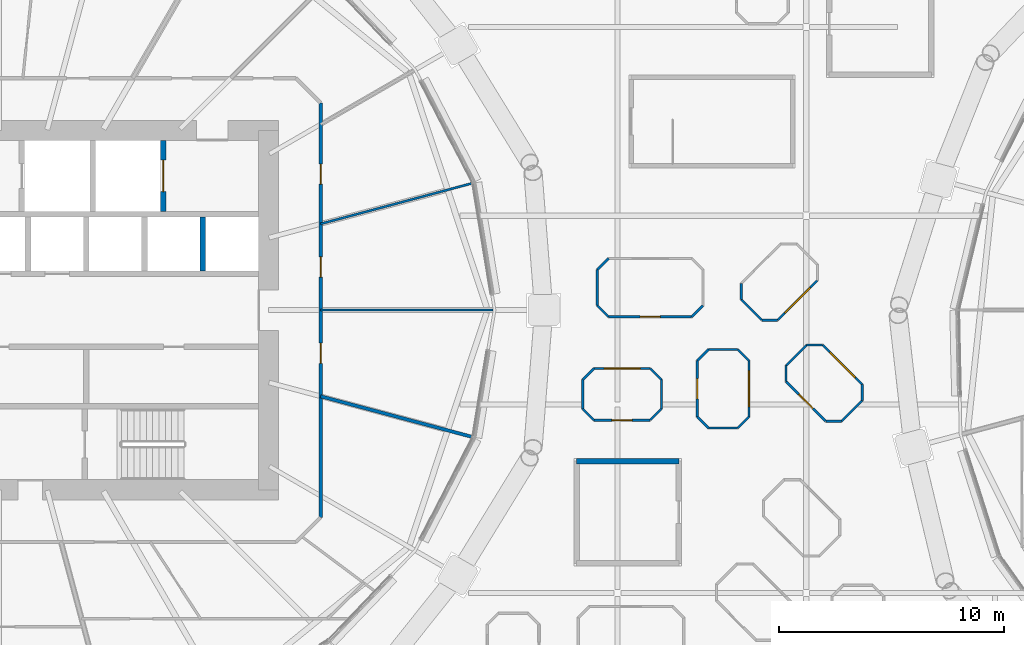
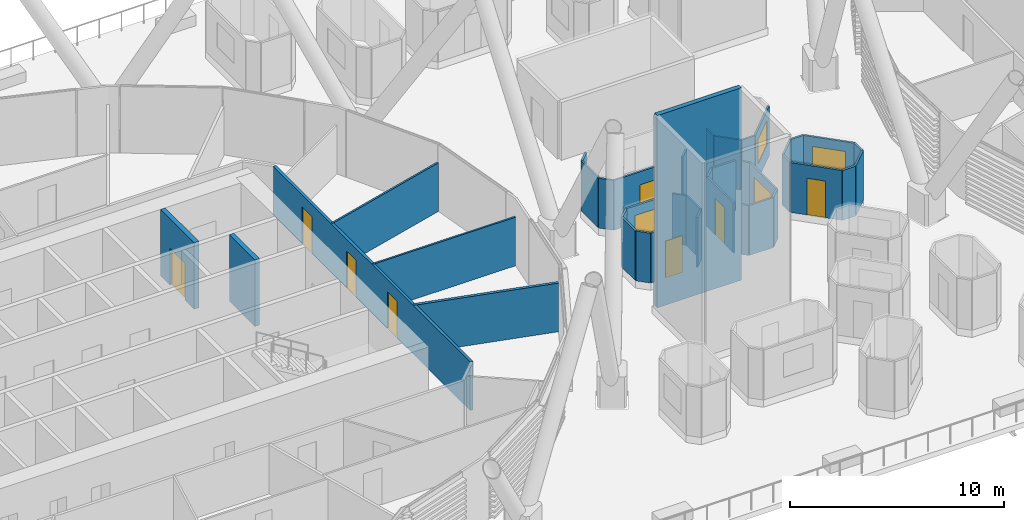
# One storey, part 27 of 47: 40 walls, 8 doors, 4 windows, 12 openings.
"""IFC4 building model written with IfcOpenShell, lengths in metres."""

from ifc_helpers import new_model, si_unit, direction, frame, frame_2d, origin, place, context, subcontext, project, spatial, rectangle, extrude, material, layer, layer_set, type_object, element, fill, save


model = new_model("IFC4")

# Units and contexts
model_context = context("Model", 3, precision=1e-05, world=origin(), true_north=direction((0.0, 1.0)))
body_context = subcontext(model_context, "Body", "Model", "MODEL_VIEW")
ifc_project = project(units=[si_unit("LENGTHUNIT", "METRE"), si_unit("AREAUNIT", "SQUARE_METRE"), si_unit("VOLUMEUNIT", "CUBIC_METRE"), si_unit("PLANEANGLEUNIT", "RADIAN"), si_unit("MASSUNIT", "GRAM", prefix="KILO")], contexts=[model_context])

# Site, building, storey
site_placement = place(None, origin())
site = spatial("IfcSite", under=ifc_project, at=site_placement, CompositionType="ELEMENT")
building_placement = place(site_placement, origin())
building = spatial("IfcBuilding", under=site, at=building_placement, Name="Rimbun Link Towers", CompositionType="ELEMENT")
storey_placement = place(building_placement, frame((0.0, 0.0, 30.0)))
storey = spatial("IfcBuildingStorey", under=building, at=storey_placement, Name="L06", CompositionType="ELEMENT", Elevation=30.0)

# Wall, opening, door
ifc_material_1 = material(Name="Terracotta-faced insulated sandwich panel", Category="masonry")
ifc_layer_1 = layer(ifc_material_1, 0.10009765625)
ifc_layer_set_1 = layer_set([ifc_layer_1], Name="CAPSULE entrance panel 100")
wall_type_1 = type_object("IfcWallType", Name="CAPSULE entrance panel 100", PredefinedType="STANDARD", material=ifc_layer_set_1)
wall_1_placement = place(storey_placement, frame((-4.60009765625, -0.300048828125, 0.409912109375), z_axis=(0.0, 0.0, 1.0), x_axis=(1.0, 0.0, 0.0)))
wall_1 = element("IfcWall", 1, at=wall_1_placement, inside=storey, type_object=wall_type_1, Name="CAPSULE P05 shell panel 7", PredefinedType="STANDARD", context=body_context, shape_type="SweptSolid", body=[
    extrude(rectangle(XDim=3.7001953125, YDim=0.10009765625, at=frame_2d((1.85009765625, 0.0))), origin(), (0.0, 0.0, 1.0), 2.85009765625),
])
opening_1_placement = place(wall_1_placement, frame((1.39990234375, 0.0, 0.0)))
opening_1 = element("IfcOpeningElement", 2, at=opening_1_placement, cuts=wall_1, Name="Opening CD06.05", PredefinedType="OPENING", context=body_context, shape_type="SweptSolid", body=[
    extrude(rectangle(XDim=0.89990234375, YDim=2.10009765625, at=frame_2d((0.449951171875, 1.050048828125))), frame((0.0, 0.06005859375, 0.0), z_axis=(0.0, -1.0, 0.0), x_axis=(1.0, 0.0, 0.0)), (0.0, 0.0, 1.0), 0.1201171875),
])
ifc_material_2 = material(Name="Aluminium framed insulated door leaf", Category="aluminium")
door_type_1 = type_object("IfcDoorType", Name="CAPSULE door single leaf 900X2100", OperationType="SINGLE_SWING_LEFT", PredefinedType="DOOR", material=ifc_material_2)
door_1_placement = place(opening_1_placement, origin())
door_1 = element("IfcDoor", 3, at=door_1_placement, inside=storey, type_object=door_type_1, Name="CAPSULE P05 door", OperationType="SINGLE_SWING_LEFT", OverallHeight=2.10009765625, OverallWidth=0.89990234375, PredefinedType="DOOR", context=body_context, shape_type="SweptSolid", body=[
    extrude(rectangle(XDim=0.89990234375, YDim=2.10009765625, at=frame_2d((0.449951171875, 1.050048828125))), frame((0.0, 0.02490234375, 0.0), z_axis=(0.0, -1.0, 0.0), x_axis=(1.0, 0.0, 0.0)), (0.0, 0.0, 1.0), 0.050048828125),
])
fill(opening_1, door_1)

wall_2_placement = place(storey_placement, frame((-0.64990234375, -2.25, 0.409912109375), z_axis=(0.0, 0.0, 1.0), x_axis=(0.0, -1.0, 0.0)))
wall_2 = element("IfcWall", 4, at=wall_2_placement, inside=storey, type_object=wall_type_1, Name="CAPSULE P06 shell panel 3", PredefinedType="STANDARD", context=body_context, shape_type="SweptSolid", body=[
    extrude(rectangle(XDim=2.5, YDim=0.10009765625, at=frame_2d((1.25, 0.0))), origin(), (0.0, 0.0, 1.0), 2.85009765625),
])
opening_2_placement = place(wall_2_placement, frame((0.800048828125, 0.0, 0.0)))
opening_2 = element("IfcOpeningElement", 5, at=opening_2_placement, cuts=wall_2, Name="Opening CD06.06", PredefinedType="OPENING", context=body_context, shape_type="SweptSolid", body=[
    extrude(rectangle(XDim=0.89990234375, YDim=2.10009765625, at=frame_2d((0.449951171875, 1.050048828125))), frame((0.0, 0.06005859375, 0.0), z_axis=(0.0, -1.0, 0.0), x_axis=(1.0, 0.0, 0.0)), (0.0, 0.0, 1.0), 0.1201171875),
])
door_2_placement = place(opening_2_placement, origin())
door_2 = element("IfcDoor", 6, at=door_2_placement, inside=storey, type_object=door_type_1, Name="CAPSULE P06 door", OperationType="SINGLE_SWING_RIGHT", OverallHeight=2.10009765625, OverallWidth=0.89990234375, PredefinedType="DOOR", context=body_context, shape_type="SweptSolid", body=[
    extrude(rectangle(XDim=0.89990234375, YDim=2.10009765625, at=frame_2d((0.449951171875, 1.050048828125))), frame((0.0, 0.02490234375, 0.0), z_axis=(0.0, -1.0, 0.0), x_axis=(1.0, 0.0, 0.0)), (0.0, 0.0, 1.0), 0.050048828125),
])
fill(opening_2, door_2)

wall_3_placement = place(storey_placement, frame((3.302978515625, -3.17919921875, 0.409912109375), z_axis=(0.0, 0.0, 1.0), x_axis=(0.707106781187, -0.707106781187, 0.0)))
wall_3 = element("IfcWall", 7, at=wall_3_placement, inside=storey, type_object=wall_type_1, Name="CAPSULE P08 shell panel 3", PredefinedType="STANDARD", context=body_context, shape_type="SweptSolid", body=[
    extrude(rectangle(XDim=2.5, YDim=0.10009765625, at=frame_2d((1.25, 0.0))), origin(), (0.0, 0.0, 1.0), 2.85009765625),
])
opening_3_placement = place(wall_3_placement, frame((0.800048828125, 0.0, 0.0)))
opening_3 = element("IfcOpeningElement", 8, at=opening_3_placement, cuts=wall_3, Name="Opening CD06.08", PredefinedType="OPENING", context=body_context, shape_type="SweptSolid", body=[
    extrude(rectangle(XDim=0.89990234375, YDim=2.10009765625, at=frame_2d((0.449951171875, 1.050048828125))), frame((0.0, 0.06005859375, 0.0), z_axis=(0.0, -1.0, 0.0), x_axis=(1.0, 0.0, 0.0)), (0.0, 0.0, 1.0), 0.1201171875),
])
door_3_placement = place(opening_3_placement, origin())
door_3 = element("IfcDoor", 9, at=door_3_placement, inside=storey, type_object=door_type_1, Name="CAPSULE P08 door", OperationType="SINGLE_SWING_RIGHT", OverallHeight=2.10009765625, OverallWidth=0.89990234375, PredefinedType="DOOR", context=body_context, shape_type="SweptSolid", body=[
    extrude(rectangle(XDim=0.89990234375, YDim=2.10009765625, at=frame_2d((0.449951171875, 1.050048828125))), frame((0.0, 0.02490234375, 0.0), z_axis=(0.0, -1.0, 0.0), x_axis=(1.0, 0.0, 0.0)), (0.0, 0.0, 1.0), 0.050048828125),
])
fill(opening_3, door_3)

wall_4_placement = place(storey_placement, frame((-5.25, -4.89990234375, 0.409912109375), z_axis=(0.0, 0.0, 1.0), x_axis=(1.0, 0.0, 0.0)))
wall_4 = element("IfcWall", 10, at=wall_4_placement, inside=storey, type_object=wall_type_1, Name="CAPSULE P14 shell panel 7", PredefinedType="STANDARD", context=body_context, shape_type="SweptSolid", body=[
    extrude(rectangle(XDim=2.5, YDim=0.10009765625, at=frame_2d((1.25, 0.0))), origin(), (0.0, 0.0, 1.0), 2.85009765625),
])
opening_4_placement = place(wall_4_placement, frame((0.800048828125, 0.0, 0.0)))
opening_4 = element("IfcOpeningElement", 11, at=opening_4_placement, cuts=wall_4, Name="Opening CD06.14", PredefinedType="OPENING", context=body_context, shape_type="SweptSolid", body=[
    extrude(rectangle(XDim=0.89990234375, YDim=2.10009765625, at=frame_2d((0.449951171875, 1.050048828125))), frame((0.0, 0.06005859375, 0.0), z_axis=(0.0, -1.0, 0.0), x_axis=(1.0, 0.0, 0.0)), (0.0, 0.0, 1.0), 0.1201171875),
])
door_4_placement = place(opening_4_placement, origin())
door_4 = element("IfcDoor", 12, at=door_4_placement, inside=storey, type_object=door_type_1, Name="CAPSULE P14 door", OperationType="SINGLE_SWING_RIGHT", OverallHeight=2.10009765625, OverallWidth=0.89990234375, PredefinedType="DOOR", context=body_context, shape_type="SweptSolid", body=[
    extrude(rectangle(XDim=0.89990234375, YDim=2.10009765625, at=frame_2d((0.449951171875, 1.050048828125))), frame((0.0, 0.02490234375, 0.0), z_axis=(0.0, -1.0, 0.0), x_axis=(1.0, 0.0, 0.0)), (0.0, 0.0, 1.0), 0.050048828125),
])
fill(opening_4, door_4)

# Walls
ifc_material_3 = material(Name="Terracotta-faced insulated sandwich panel", Category="masonry")
ifc_layer_2 = layer(ifc_material_3, 0.10009765625)
ifc_layer_set_2 = layer_set([ifc_layer_2], Name="CAPSULE shell panel 100")
wall_type_2 = type_object("IfcWallType", Name="CAPSULE shell panel 100", PredefinedType="STANDARD", material=ifc_layer_set_2)
wall_5_placement = place(storey_placement, frame((-4.60009765625, 2.300048828125, 0.409912109375), z_axis=(0.0, 0.0, 1.0), x_axis=(-0.707106781187, -0.707106781187, 0.0)))
element("IfcWall", 13, at=wall_5_placement, inside=storey, type_object=wall_type_2, Name="CAPSULE P05 shell panel 4", PredefinedType="STANDARD", context=body_context, shape_type="SweptSolid", body=[
    extrude(rectangle(XDim=0.70703125, YDim=0.10009765625, at=frame_2d((0.353515625, 0.0))), origin(), (0.0, 0.0, 1.0), 2.85009765625),
])
wall_6_placement = place(storey_placement, frame((-5.10009765625, 1.800048828125, 0.409912109375), z_axis=(0.0, 0.0, 1.0), x_axis=(0.0, -1.0, 0.0)))
element("IfcWall", 14, at=wall_6_placement, inside=storey, type_object=wall_type_2, Name="CAPSULE P05 shell panel 5", PredefinedType="STANDARD", context=body_context, shape_type="SweptSolid", body=[
    extrude(rectangle(XDim=1.60009765625, YDim=0.10009765625, at=frame_2d((0.800048828125, 0.0))), origin(), (0.0, 0.0, 1.0), 2.85009765625),
])
for number, where, z_axis, x_axis, name in (
    (15, (-5.10009765625, 0.199951171875, 0.409912109375), (0.0, 0.0, 1.0), (0.707106781187, -0.707106781187, 0.0), "CAPSULE P05 shell panel 6"),
    (16, (-0.89990234375, -0.300048828125, 0.409912109375), (0.0, 0.0, 1.0), (0.707106781187, 0.707106781187, 0.0), "CAPSULE P05 shell panel 8"),
):
    element("IfcWall", number, at=place(storey_placement, frame(where, z_axis=z_axis, x_axis=x_axis)), inside=storey, type_object=wall_type_2, Name=name, PredefinedType="STANDARD", context=body_context, shape_type="SweptSolid", body=[
        extrude(rectangle(XDim=0.70703125, YDim=0.10009765625, at=frame_2d((0.353515625, 0.0))), origin(), (0.0, 0.0, 1.0), 2.85009765625),
    ])
wall_7_placement = place(storey_placement, frame((1.14990234375, -1.75, 0.409912109375), z_axis=(0.0, 0.0, 1.0), x_axis=(-1.0, 0.0, 0.0)))
element("IfcWall", 17, at=wall_7_placement, inside=storey, type_object=wall_type_2, Name="CAPSULE P06 shell panel 1", PredefinedType="STANDARD", context=body_context, shape_type="SweptSolid", body=[
    extrude(rectangle(XDim=1.2998046875, YDim=0.10009765625, at=frame_2d((0.64990234375, 0.0))), origin(), (0.0, 0.0, 1.0), 2.85009765625),
])
for number, where, z_axis, x_axis, name in (
    (18, (-0.14990234375, -1.75, 0.409912109375), (0.0, 0.0, 1.0), (-0.707106781187, -0.707106781187, 0.0), "CAPSULE P06 shell panel 2"),
    (19, (-0.64990234375, -4.75, 0.409912109375), (0.0, 0.0, 1.0), (0.707106781187, -0.707106781187, 0.0), "CAPSULE P06 shell panel 4"),
):
    element("IfcWall", number, at=place(storey_placement, frame(where, z_axis=z_axis, x_axis=x_axis)), inside=storey, type_object=wall_type_2, Name=name, PredefinedType="STANDARD", context=body_context, shape_type="SweptSolid", body=[
        extrude(rectangle(XDim=0.70703125, YDim=0.10009765625, at=frame_2d((0.353515625, 0.0))), origin(), (0.0, 0.0, 1.0), 2.85009765625),
    ])
wall_8_placement = place(storey_placement, frame((-0.14990234375, -5.25, 0.409912109375), z_axis=(0.0, 0.0, 1.0), x_axis=(1.0, 0.0, 0.0)))
element("IfcWall", 20, at=wall_8_placement, inside=storey, type_object=wall_type_2, Name="CAPSULE P06 shell panel 5", PredefinedType="STANDARD", context=body_context, shape_type="SweptSolid", body=[
    extrude(rectangle(XDim=1.2998046875, YDim=0.10009765625, at=frame_2d((0.64990234375, 0.0))), origin(), (0.0, 0.0, 1.0), 2.85009765625),
])
wall_9_placement = place(storey_placement, frame((1.14990234375, -5.25, 0.409912109375), z_axis=(0.0, 0.0, 1.0), x_axis=(0.707106781187, 0.707106781187, 0.0)))
element("IfcWall", 21, at=wall_9_placement, inside=storey, type_object=wall_type_2, Name="CAPSULE P06 shell panel 6", PredefinedType="STANDARD", context=body_context, shape_type="SweptSolid", body=[
    extrude(rectangle(XDim=0.70703125, YDim=0.10009765625, at=frame_2d((0.353515625, 0.0))), origin(), (0.0, 0.0, 1.0), 2.85009765625),
])

# Wall, opening, window
wall_10_placement = place(storey_placement, frame((1.64990234375, -4.75, 0.409912109375), z_axis=(0.0, 0.0, 1.0), x_axis=(0.0, 1.0, 0.0)))
wall_10 = element("IfcWall", 22, at=wall_10_placement, inside=storey, type_object=wall_type_2, Name="CAPSULE P06 shell panel 7", PredefinedType="STANDARD", context=body_context, shape_type="SweptSolid", body=[
    extrude(rectangle(XDim=2.5, YDim=0.10009765625, at=frame_2d((1.25, 0.0))), origin(), (0.0, 0.0, 1.0), 2.85009765625),
])
opening_5_placement = place(wall_10_placement, frame((0.449951171875, 0.0, 0.89990234375)))
opening_5 = element("IfcOpeningElement", 23, at=opening_5_placement, cuts=wall_10, Name="Opening CN06.06", PredefinedType="OPENING", context=body_context, shape_type="SweptSolid", body=[
    extrude(rectangle(XDim=1.60009765625, YDim=1.39990234375, at=frame_2d((0.800048828125, 0.699951171875))), frame((0.0, 0.06005859375, 0.0), z_axis=(0.0, -1.0, 0.0), x_axis=(1.0, 0.0, 0.0)), (0.0, 0.0, 1.0), 0.1201171875),
])
ifc_material_4 = material(Name="Aluminium framed window, low-iron glass", Category="aluminium")
window_type = type_object("IfcWindowType", Name="CAPSULE window 1600X1400", PartitioningType="SINGLE_PANEL", PredefinedType="WINDOW", material=ifc_material_4)
window_1_placement = place(opening_5_placement, origin())
window_1 = element("IfcWindow", 24, at=window_1_placement, inside=storey, type_object=window_type, Name="CAPSULE P06 window", OverallHeight=1.39990234375, OverallWidth=1.60009765625, PartitioningType="SINGLE_PANEL", PredefinedType="WINDOW", context=body_context, shape_type="SweptSolid", body=[
    extrude(rectangle(XDim=1.60009765625, YDim=1.39990234375, at=frame_2d((0.800048828125, 0.699951171875))), frame((0.0, 0.030029296875, 0.0), z_axis=(0.0, -1.0, 0.0), x_axis=(1.0, 0.0, 0.0)), (0.0, 0.0, 1.0), 0.06005859375),
])
fill(opening_5, window_1)

# Walls
for number, where, z_axis, x_axis, name in (
    (25, (1.64990234375, -2.25, 0.409912109375), (0.0, 0.0, 1.0), (-0.707106781187, 0.707106781187, 0.0), "CAPSULE P06 shell panel 8"),
    (26, (1.302978515625, 1.17919921875, 0.409912109375), (0.0, 0.0, 1.0), (0.0, -1.0, 0.0), "CAPSULE P07 shell panel 4"),
):
    element("IfcWall", number, at=place(storey_placement, frame(where, z_axis=z_axis, x_axis=x_axis)), inside=storey, type_object=wall_type_2, Name=name, PredefinedType="STANDARD", context=body_context, shape_type="SweptSolid", body=[
        extrude(rectangle(XDim=0.70703125, YDim=0.10009765625, at=frame_2d((0.353515625, 0.0))), origin(), (0.0, 0.0, 1.0), 2.85009765625),
    ])
wall_11_placement = place(storey_placement, frame((1.302978515625, 0.47216796875, 0.409912109375), z_axis=(0.0, 0.0, 1.0), x_axis=(0.707106781187, -0.707106781187, 0.0)))
element("IfcWall", 27, at=wall_11_placement, inside=storey, type_object=wall_type_2, Name="CAPSULE P07 shell panel 5", PredefinedType="STANDARD", context=body_context, shape_type="SweptSolid", body=[
    extrude(rectangle(XDim=1.300048828125, YDim=0.10009765625, at=frame_2d((0.64990234375, 0.0))), origin(), (0.0, 0.0, 1.0), 2.85009765625),
])
wall_12_placement = place(storey_placement, frame((2.22216796875, -0.447021484375, 0.409912109375), z_axis=(0.0, 0.0, 1.0), x_axis=(1.0, 0.0, 0.0)))
element("IfcWall", 28, at=wall_12_placement, inside=storey, type_object=wall_type_2, Name="CAPSULE P07 shell panel 6", PredefinedType="STANDARD", context=body_context, shape_type="SweptSolid", body=[
    extrude(rectangle(XDim=0.70703125, YDim=0.10009765625, at=frame_2d((0.353515625, 0.0))), origin(), (0.0, 0.0, 1.0), 2.85009765625),
])

# Wall, opening, window
wall_13_placement = place(storey_placement, frame((2.92919921875, -0.447021484375, 0.409912109375), z_axis=(0.0, 0.0, 1.0), x_axis=(0.707106781187, 0.707106781187, 0.0)))
wall_13 = element("IfcWall", 29, at=wall_13_placement, inside=storey, type_object=wall_type_2, Name="CAPSULE P07 shell panel 7", PredefinedType="STANDARD", context=body_context, shape_type="SweptSolid", body=[
    extrude(rectangle(XDim=2.5, YDim=0.10009765625, at=frame_2d((1.25, 0.0))), origin(), (0.0, 0.0, 1.0), 2.85009765625),
])
opening_6_placement = place(wall_13_placement, frame((0.449951171875, 0.0, 0.89990234375)))
opening_6 = element("IfcOpeningElement", 30, at=opening_6_placement, cuts=wall_13, Name="Opening CN06.07", PredefinedType="OPENING", context=body_context, shape_type="SweptSolid", body=[
    extrude(rectangle(XDim=1.60009765625, YDim=1.39990234375, at=frame_2d((0.800048828125, 0.699951171875))), frame((0.0, 0.06005859375, 0.0), z_axis=(0.0, -1.0, 0.0), x_axis=(1.0, 0.0, 0.0)), (0.0, 0.0, 1.0), 0.1201171875),
])
window_2_placement = place(opening_6_placement, origin())
window_2 = element("IfcWindow", 31, at=window_2_placement, inside=storey, type_object=window_type, Name="CAPSULE P07 window", OverallHeight=1.39990234375, OverallWidth=1.60009765625, PartitioningType="SINGLE_PANEL", PredefinedType="WINDOW", context=body_context, shape_type="SweptSolid", body=[
    extrude(rectangle(XDim=1.60009765625, YDim=1.39990234375, at=frame_2d((0.800048828125, 0.699951171875))), frame((0.0, 0.030029296875, 0.0), z_axis=(0.0, -1.0, 0.0), x_axis=(1.0, 0.0, 0.0)), (0.0, 0.0, 1.0), 0.06005859375),
])
fill(opening_6, window_2)

# Walls
wall_14_placement = place(storey_placement, frame((4.22216796875, -1.552978515625, 0.409912109375), z_axis=(0.0, 0.0, 1.0), x_axis=(-0.707106781187, -0.707106781187, 0.0)))
element("IfcWall", 32, at=wall_14_placement, inside=storey, type_object=wall_type_2, Name="CAPSULE P08 shell panel 1", PredefinedType="STANDARD", context=body_context, shape_type="SweptSolid", body=[
    extrude(rectangle(XDim=1.300048828125, YDim=0.10009765625, at=frame_2d((0.64990234375, 0.0))), origin(), (0.0, 0.0, 1.0), 2.85009765625),
])
for number, where, z_axis, x_axis, name in (
    (33, (3.302978515625, -2.47216796875, 0.409912109375), (0.0, 0.0, 1.0), (0.0, -1.0, 0.0), "CAPSULE P08 shell panel 2"),
    (34, (5.07080078125, -4.947021484375, 0.409912109375), (0.0, 0.0, 1.0), (1.0, 0.0, 0.0), "CAPSULE P08 shell panel 4"),
):
    element("IfcWall", number, at=place(storey_placement, frame(where, z_axis=z_axis, x_axis=x_axis)), inside=storey, type_object=wall_type_2, Name=name, PredefinedType="STANDARD", context=body_context, shape_type="SweptSolid", body=[
        extrude(rectangle(XDim=0.70703125, YDim=0.10009765625, at=frame_2d((0.353515625, 0.0))), origin(), (0.0, 0.0, 1.0), 2.85009765625),
    ])
wall_15_placement = place(storey_placement, frame((5.77783203125, -4.947021484375, 0.409912109375), z_axis=(0.0, 0.0, 1.0), x_axis=(0.707106781187, 0.707106781187, 0.0)))
element("IfcWall", 35, at=wall_15_placement, inside=storey, type_object=wall_type_2, Name="CAPSULE P08 shell panel 5", PredefinedType="STANDARD", context=body_context, shape_type="SweptSolid", body=[
    extrude(rectangle(XDim=1.300048828125, YDim=0.10009765625, at=frame_2d((0.64990234375, 0.0))), origin(), (0.0, 0.0, 1.0), 2.85009765625),
])
wall_16_placement = place(storey_placement, frame((6.697021484375, -4.02783203125, 0.409912109375), z_axis=(0.0, 0.0, 1.0), x_axis=(0.0, 1.0, 0.0)))
element("IfcWall", 36, at=wall_16_placement, inside=storey, type_object=wall_type_2, Name="CAPSULE P08 shell panel 6", PredefinedType="STANDARD", context=body_context, shape_type="SweptSolid", body=[
    extrude(rectangle(XDim=0.70703125, YDim=0.10009765625, at=frame_2d((0.353515625, 0.0))), origin(), (0.0, 0.0, 1.0), 2.85009765625),
])

# Wall, opening, window
wall_17_placement = place(storey_placement, frame((6.697021484375, -3.32080078125, 0.409912109375), z_axis=(0.0, 0.0, 1.0), x_axis=(-0.707106781187, 0.707106781187, 0.0)))
wall_17 = element("IfcWall", 37, at=wall_17_placement, inside=storey, type_object=wall_type_2, Name="CAPSULE P08 shell panel 7", PredefinedType="STANDARD", context=body_context, shape_type="SweptSolid", body=[
    extrude(rectangle(XDim=2.5, YDim=0.10009765625, at=frame_2d((1.25, 0.0))), origin(), (0.0, 0.0, 1.0), 2.85009765625),
])
opening_7_placement = place(wall_17_placement, frame((0.449951171875, 0.0, 0.89990234375)))
opening_7 = element("IfcOpeningElement", 38, at=opening_7_placement, cuts=wall_17, Name="Opening CN06.08", PredefinedType="OPENING", context=body_context, shape_type="SweptSolid", body=[
    extrude(rectangle(XDim=1.60009765625, YDim=1.39990234375, at=frame_2d((0.800048828125, 0.699951171875))), frame((0.0, 0.06005859375, 0.0), z_axis=(0.0, -1.0, 0.0), x_axis=(1.0, 0.0, 0.0)), (0.0, 0.0, 1.0), 0.1201171875),
])
window_3_placement = place(opening_7_placement, origin())
window_3 = element("IfcWindow", 39, at=window_3_placement, inside=storey, type_object=window_type, Name="CAPSULE P08 window", OverallHeight=1.39990234375, OverallWidth=1.60009765625, PartitioningType="SINGLE_PANEL", PredefinedType="WINDOW", context=body_context, shape_type="SweptSolid", body=[
    extrude(rectangle(XDim=1.60009765625, YDim=1.39990234375, at=frame_2d((0.800048828125, 0.699951171875))), frame((0.0, 0.030029296875, 0.0), z_axis=(0.0, -1.0, 0.0), x_axis=(1.0, 0.0, 0.0)), (0.0, 0.0, 1.0), 0.06005859375),
])
fill(opening_7, window_3)

# Walls
wall_18_placement = place(storey_placement, frame((4.92919921875, -1.552978515625, 0.409912109375), z_axis=(0.0, 0.0, 1.0), x_axis=(-1.0, 0.0, 0.0)))
element("IfcWall", 40, at=wall_18_placement, inside=storey, type_object=wall_type_2, Name="CAPSULE P08 shell panel 8", PredefinedType="STANDARD", context=body_context, shape_type="SweptSolid", body=[
    extrude(rectangle(XDim=0.70703125, YDim=0.10009765625, at=frame_2d((0.353515625, 0.0))), origin(), (0.0, 0.0, 1.0), 2.85009765625),
])
wall_19_placement = place(storey_placement, frame((-2.25, -4.39990234375, 0.409912109375), z_axis=(0.0, 0.0, 1.0), x_axis=(0.0, 1.0, 0.0)))
element("IfcWall", 41, at=wall_19_placement, inside=storey, type_object=wall_type_2, Name="CAPSULE P14 shell panel 1", PredefinedType="STANDARD", context=body_context, shape_type="SweptSolid", body=[
    extrude(rectangle(XDim=1.2998046875, YDim=0.10009765625, at=frame_2d((0.64990234375, 0.0))), origin(), (0.0, 0.0, 1.0), 2.85009765625),
])
wall_20_placement = place(storey_placement, frame((-2.25, -3.10009765625, 0.409912109375), z_axis=(0.0, 0.0, 1.0), x_axis=(-0.707106781187, 0.707106781187, 0.0)))
element("IfcWall", 42, at=wall_20_placement, inside=storey, type_object=wall_type_2, Name="CAPSULE P14 shell panel 2", PredefinedType="STANDARD", context=body_context, shape_type="SweptSolid", body=[
    extrude(rectangle(XDim=0.70703125, YDim=0.10009765625, at=frame_2d((0.353515625, 0.0))), origin(), (0.0, 0.0, 1.0), 2.85009765625),
])

# Wall, opening, window
wall_21_placement = place(storey_placement, frame((-2.75, -2.60009765625, 0.409912109375), z_axis=(0.0, 0.0, 1.0), x_axis=(-1.0, 0.0, 0.0)))
wall_21 = element("IfcWall", 43, at=wall_21_placement, inside=storey, type_object=wall_type_2, Name="CAPSULE P14 shell panel 3", PredefinedType="STANDARD", context=body_context, shape_type="SweptSolid", body=[
    extrude(rectangle(XDim=2.5, YDim=0.10009765625, at=frame_2d((1.25, 0.0))), origin(), (0.0, 0.0, 1.0), 2.85009765625),
])
opening_8_placement = place(wall_21_placement, frame((0.449951171875, 0.0, 0.89990234375)))
opening_8 = element("IfcOpeningElement", 44, at=opening_8_placement, cuts=wall_21, Name="Opening CN06.14", PredefinedType="OPENING", context=body_context, shape_type="SweptSolid", body=[
    extrude(rectangle(XDim=1.60009765625, YDim=1.39990234375, at=frame_2d((0.800048828125, 0.699951171875))), frame((0.0, 0.06005859375, 0.0), z_axis=(0.0, -1.0, 0.0), x_axis=(1.0, 0.0, 0.0)), (0.0, 0.0, 1.0), 0.1201171875),
])
window_4_placement = place(opening_8_placement, origin())
window_4 = element("IfcWindow", 45, at=window_4_placement, inside=storey, type_object=window_type, Name="CAPSULE P14 window", OverallHeight=1.39990234375, OverallWidth=1.60009765625, PartitioningType="SINGLE_PANEL", PredefinedType="WINDOW", context=body_context, shape_type="SweptSolid", body=[
    extrude(rectangle(XDim=1.60009765625, YDim=1.39990234375, at=frame_2d((0.800048828125, 0.699951171875))), frame((0.0, 0.030029296875, 0.0), z_axis=(0.0, -1.0, 0.0), x_axis=(1.0, 0.0, 0.0)), (0.0, 0.0, 1.0), 0.06005859375),
])
fill(opening_8, window_4)

# Walls
wall_22_placement = place(storey_placement, frame((-5.25, -2.60009765625, 0.409912109375), z_axis=(0.0, 0.0, 1.0), x_axis=(-0.707106781187, -0.707106781187, 0.0)))
element("IfcWall", 46, at=wall_22_placement, inside=storey, type_object=wall_type_2, Name="CAPSULE P14 shell panel 4", PredefinedType="STANDARD", context=body_context, shape_type="SweptSolid", body=[
    extrude(rectangle(XDim=0.70703125, YDim=0.10009765625, at=frame_2d((0.353515625, 0.0))), origin(), (0.0, 0.0, 1.0), 2.85009765625),
])
wall_23_placement = place(storey_placement, frame((-5.75, -3.10009765625, 0.409912109375), z_axis=(0.0, 0.0, 1.0), x_axis=(0.0, -1.0, 0.0)))
element("IfcWall", 47, at=wall_23_placement, inside=storey, type_object=wall_type_2, Name="CAPSULE P14 shell panel 5", PredefinedType="STANDARD", context=body_context, shape_type="SweptSolid", body=[
    extrude(rectangle(XDim=1.2998046875, YDim=0.10009765625, at=frame_2d((0.64990234375, 0.0))), origin(), (0.0, 0.0, 1.0), 2.85009765625),
])
for number, where, z_axis, x_axis, name in (
    (48, (-5.75, -4.39990234375, 0.409912109375), (0.0, 0.0, 1.0), (0.707106781187, -0.707106781187, 0.0), "CAPSULE P14 shell panel 6"),
    (49, (-2.75, -4.89990234375, 0.409912109375), (0.0, 0.0, 1.0), (0.707106781187, 0.707106781187, 0.0), "CAPSULE P14 shell panel 8"),
):
    element("IfcWall", number, at=place(storey_placement, frame(where, z_axis=z_axis, x_axis=x_axis)), inside=storey, type_object=wall_type_2, Name=name, PredefinedType="STANDARD", context=body_context, shape_type="SweptSolid", body=[
        extrude(rectangle(XDim=0.70703125, YDim=0.10009765625, at=frame_2d((0.353515625, 0.0))), origin(), (0.0, 0.0, 1.0), 2.85009765625),
    ])

# Wall, openings, doors
ifc_material_5 = material(Name="Plasterboard on steel stud, mineral wool", Category="steel")
ifc_layer_3 = layer(ifc_material_5, 0.14990234375)
ifc_layer_set_3 = layer_set([ifc_layer_3], Name="Corridor wall EI 30 150 mm")
wall_type_3 = type_object("IfcWallType", Name="Corridor wall EI 30 150 mm", PredefinedType="PARTITIONING", material=ifc_layer_set_3)
wall_24_placement = place(storey_placement, frame((-17.425048828125, 9.226806640625, 0.0), z_axis=(0.0, 0.0, 1.0), x_axis=(0.0, -1.0, 0.0)))
wall_24 = element("IfcWall", 50, at=wall_24_placement, inside=storey, type_object=wall_type_3, Name="Corridor wall EI 30 150 mm", PredefinedType="PARTITIONING", context=body_context, shape_type="SweptSolid", body=[
    extrude(rectangle(XDim=18.45361328125, YDim=0.14990234375, at=frame_2d((9.226806640625, 0.0))), origin(), (0.0, 0.0, 1.0), 2.779052734375),
])
opening_9_placement = place(wall_24_placement, frame((10.69580078125, 0.0, 0.0)))
opening_9 = element("IfcOpeningElement", 51, at=opening_9_placement, cuts=wall_24, Name="Opening D02", PredefinedType="OPENING", context=body_context, shape_type="SweptSolid", body=[
    extrude(rectangle(XDim=0.89990234375, YDim=2.10009765625, at=frame_2d((0.449951171875, 1.050048828125))), frame((0.0, 0.0849609375, 0.0), z_axis=(0.0, -1.0, 0.0), x_axis=(1.0, 0.0, 0.0)), (0.0, 0.0, 1.0), 0.169921875),
])
opening_10_placement = place(wall_24_placement, frame((6.857421875, 0.0, 0.0)))
opening_10 = element("IfcOpeningElement", 52, at=opening_10_placement, cuts=wall_24, Name="Opening D02", PredefinedType="OPENING", context=body_context, shape_type="SweptSolid", body=[
    extrude(rectangle(XDim=0.89990234375, YDim=2.10009765625, at=frame_2d((0.449951171875, 1.050048828125))), frame((0.0, 0.0849609375, 0.0), z_axis=(0.0, -1.0, 0.0), x_axis=(1.0, 0.0, 0.0)), (0.0, 0.0, 1.0), 0.169921875),
])
opening_11_placement = place(wall_24_placement, frame((2.72216796875, 0.0, 0.0)))
opening_11 = element("IfcOpeningElement", 53, at=opening_11_placement, cuts=wall_24, Name="Opening D02", PredefinedType="OPENING", context=body_context, shape_type="SweptSolid", body=[
    extrude(rectangle(XDim=0.89990234375, YDim=2.10009765625, at=frame_2d((0.449951171875, 1.050048828125))), frame((0.0, 0.0849609375, 0.0), z_axis=(0.0, -1.0, 0.0), x_axis=(1.0, 0.0, 0.0)), (0.0, 0.0, 1.0), 0.169921875),
])
ifc_material_6 = material(Name="Fire-resisting timber door leaf", Category="wood")
door_type_2 = type_object("IfcDoorType", Name="Fire door FD30S 900", OperationType="NOTDEFINED", PredefinedType="DOOR", material=ifc_material_6)
door_5_placement = place(opening_9_placement, origin())
door_5 = element("IfcDoor", 54, at=door_5_placement, inside=storey, type_object=door_type_2, Name="Fire door FD30S 900 to Cellular office", OperationType="SINGLE_SWING_LEFT", OverallHeight=2.10009765625, OverallWidth=0.89990234375, PredefinedType="DOOR", context=body_context, shape_type="SweptSolid", body=[
    extrude(rectangle(XDim=0.89990234375, YDim=2.10009765625, at=frame_2d((0.449951171875, 1.050048828125))), frame((0.0, 0.02490234375, 0.0), z_axis=(0.0, -1.0, 0.0), x_axis=(1.0, 0.0, 0.0)), (0.0, 0.0, 1.0), 0.050048828125),
])
fill(opening_9, door_5)
door_6_placement = place(opening_10_placement, origin())
door_6 = element("IfcDoor", 55, at=door_6_placement, inside=storey, type_object=door_type_2, Name="Fire door FD30S 900 to Cellular office", OperationType="SINGLE_SWING_RIGHT", OverallHeight=2.10009765625, OverallWidth=0.89990234375, PredefinedType="DOOR", context=body_context, shape_type="SweptSolid", body=[
    extrude(rectangle(XDim=0.89990234375, YDim=2.10009765625, at=frame_2d((0.449951171875, 1.050048828125))), frame((0.0, 0.02490234375, 0.0), z_axis=(0.0, -1.0, 0.0), x_axis=(1.0, 0.0, 0.0)), (0.0, 0.0, 1.0), 0.050048828125),
])
fill(opening_10, door_6)
door_7_placement = place(opening_11_placement, origin())
door_7 = element("IfcDoor", 56, at=door_7_placement, inside=storey, type_object=door_type_2, Name="Fire door FD30S 900 to Cellular office", OperationType="SINGLE_SWING_LEFT", OverallHeight=2.10009765625, OverallWidth=0.89990234375, PredefinedType="DOOR", context=body_context, shape_type="SweptSolid", body=[
    extrude(rectangle(XDim=0.89990234375, YDim=2.10009765625, at=frame_2d((0.449951171875, 1.050048828125))), frame((0.0, 0.02490234375, 0.0), z_axis=(0.0, -1.0, 0.0), x_axis=(1.0, 0.0, 0.0)), (0.0, 0.0, 1.0), 0.050048828125),
])
fill(opening_11, door_7)

# Walls
ifc_material_7 = material(Name="Plasterboard on steel stud", Category="steel")
ifc_layer_4 = layer(ifc_material_7, 0.10009765625)
ifc_layer_set_4 = layer_set([ifc_layer_4], Name="Plasterboard partition 100 mm")
wall_type_4 = type_object("IfcWallType", Name="Plasterboard partition 100 mm", PredefinedType="PARTITIONING", material=ifc_layer_set_4)
wall_25_placement = place(storey_placement, frame((-9.7373046875, 0.0, 0.0), z_axis=(0.0, 0.0, 1.0), x_axis=(-1.0, 0.0, 0.0)))
element("IfcWall", 57, at=wall_25_placement, inside=storey, type_object=wall_type_4, Name="Plasterboard partition 100 mm", PredefinedType="PARTITIONING", context=body_context, shape_type="SweptSolid", body=[
    extrude(rectangle(XDim=7.687744140625, YDim=0.10009765625, at=frame_2d((3.84375, 0.0))), origin(), (0.0, 0.0, 1.0), 2.779052734375),
])
wall_26_placement = place(storey_placement, frame((-10.666259765625, 5.6494140625, 0.0), z_axis=(0.0, 0.0, 1.0), x_axis=(-0.965925001487, -0.258822123285, 0.0)))
element("IfcWall", 58, at=wall_26_placement, inside=storey, type_object=wall_type_4, Name="Plasterboard partition 100 mm", PredefinedType="PARTITIONING", context=body_context, shape_type="SweptSolid", body=[
    extrude(rectangle(XDim=6.997314453125, YDim=0.10009765625, at=frame_2d((3.49853515625, 0.0))), origin(), (0.0, 0.0, 1.0), 2.779052734375),
])
ifc_material_8 = material(Name="Concrete C40/50", Category="concrete")
ifc_layer_5 = layer(ifc_material_8, 0.25)
ifc_layer_set_5 = layer_set([ifc_layer_5], Name="Service trunk wall 250")
wall_type_5 = type_object("IfcWallType", Name="Service trunk wall 250", PredefinedType="STANDARD", material=ifc_layer_set_5)
wall_27_placement = place(storey_placement, frame((-1.47509765625, -6.72509765625, 0.409912109375), z_axis=(0.0, 0.0, 1.0), x_axis=(-1.0, 0.0, 0.0)))
element("IfcWall", 59, at=wall_27_placement, inside=storey, type_object=wall_type_5, Name="Service trunk 1 wall 3", PredefinedType="STANDARD", context=body_context, shape_type="SweptSolid", body=[
    extrude(rectangle(XDim=4.5498046875, YDim=0.25, at=frame_2d((2.27490234375, 0.0))), origin(), (0.0, 0.0, 1.0), 10.989990234375),
])
ifc_material_9 = material(Name="Concrete C60/75", Category="concrete")
ifc_layer_6 = layer(ifc_material_9, 0.25)
ifc_layer_set_6 = layer_set([ifc_layer_6], Name="Shaft wall 250")
wall_type_6 = type_object("IfcWallType", Name="Shaft wall 250", PredefinedType="SHEAR", material=ifc_layer_set_6)
wall_28_placement = place(storey_placement, frame((-22.66943359375, 1.75, 0.0), z_axis=(0.0, 0.0, 1.0), x_axis=(0.0, 1.0, 0.0)))
element("IfcWall", 60, at=wall_28_placement, inside=storey, type_object=wall_type_6, Name="L06 T1 core wall DN7", PredefinedType="SHEAR", context=body_context, shape_type="SweptSolid", body=[
    extrude(rectangle(XDim=2.39990234375, YDim=0.25, at=frame_2d((1.199951171875, 0.0))), origin(), (0.0, 0.0, 1.0), 3.800048828125),
])

# Wall, opening, door
wall_29_placement = place(storey_placement, frame((-24.425048828125, 4.39990234375, 0.0), z_axis=(0.0, 0.0, 1.0), x_axis=(0.0, 1.0, 0.0)))
wall_29 = element("IfcWall", 61, at=wall_29_placement, inside=storey, type_object=wall_type_6, Name="L06 T1 core wall A4", PredefinedType="SHEAR", context=body_context, shape_type="SweptSolid", body=[
    extrude(rectangle(XDim=3.150146484375, YDim=0.25, at=frame_2d((1.5751953125, 0.0))), origin(), (0.0, 0.0, 1.0), 3.800048828125),
])
opening_12_placement = place(wall_29_placement, frame((0.875, 0.0, 0.0)))
opening_12 = element("IfcOpeningElement", 62, at=opening_12_placement, cuts=wall_29, Name="Opening LD-T1-GL1", PredefinedType="OPENING", context=body_context, shape_type="SweptSolid", body=[
    extrude(rectangle(XDim=1.39990234375, YDim=2.10009765625, at=frame_2d((0.699951171875, 1.050048828125))), frame((0.0, 0.135009765625, 0.0), z_axis=(0.0, -1.0, 0.0), x_axis=(1.0, 0.0, 0.0)), (0.0, 0.0, 1.0), 0.27001953125),
])
ifc_material_10 = material(Name="Stainless steel grade 316", Category="steel")
door_type_3 = type_object("IfcDoorType", Name="Goods lift landing door", OperationType="DOUBLE_DOOR_SLIDING", PredefinedType="DOOR", material=ifc_material_10)
door_8_placement = place(opening_12_placement, origin())
door_8 = element("IfcDoor", 63, at=door_8_placement, inside=storey, type_object=door_type_3, Name="L06 T1 lift GL1 landing door", OperationType="DOUBLE_DOOR_SLIDING", OverallHeight=2.10009765625, OverallWidth=1.39990234375, PredefinedType="DOOR", context=body_context, shape_type="SweptSolid", body=[
    extrude(rectangle(XDim=1.39990234375, YDim=2.10009765625, at=frame_2d((0.699951171875, 1.050048828125))), frame((0.0, 0.02490234375, 0.0), z_axis=(0.0, -1.0, 0.0), x_axis=(1.0, 0.0, 0.0)), (0.0, 0.0, 1.0), 0.050048828125),
])
fill(opening_12, door_8)

# Wall
ifc_material_11 = material(Name="Plasterboard on steel stud, mineral wool", Category="steel")
ifc_layer_7 = layer(ifc_material_11, 0.14990234375)
ifc_layer_set_7 = layer_set([ifc_layer_7], Name="Tenancy separation wall EI 60 150 mm")
wall_type_7 = type_object("IfcWallType", Name="Tenancy separation wall EI 60 150 mm", PredefinedType="PARTITIONING", material=ifc_layer_set_7)
wall_30_placement = place(storey_placement, frame((-17.425048828125, -3.83837890625, 0.0), z_axis=(0.0, 0.0, 1.0), x_axis=(0.965925001487, -0.258822123285, 0.0)))
element("IfcWall", 64, at=wall_30_placement, inside=storey, type_object=wall_type_7, Name="Tenancy separation wall EI 60 150 mm", PredefinedType="PARTITIONING", context=body_context, shape_type="SweptSolid", body=[
    extrude(rectangle(XDim=6.997314453125, YDim=0.14990234375, at=frame_2d((3.49853515625, 0.0))), origin(), (0.0, 0.0, 1.0), 2.779052734375),
])

save(model, "model.ifc")
